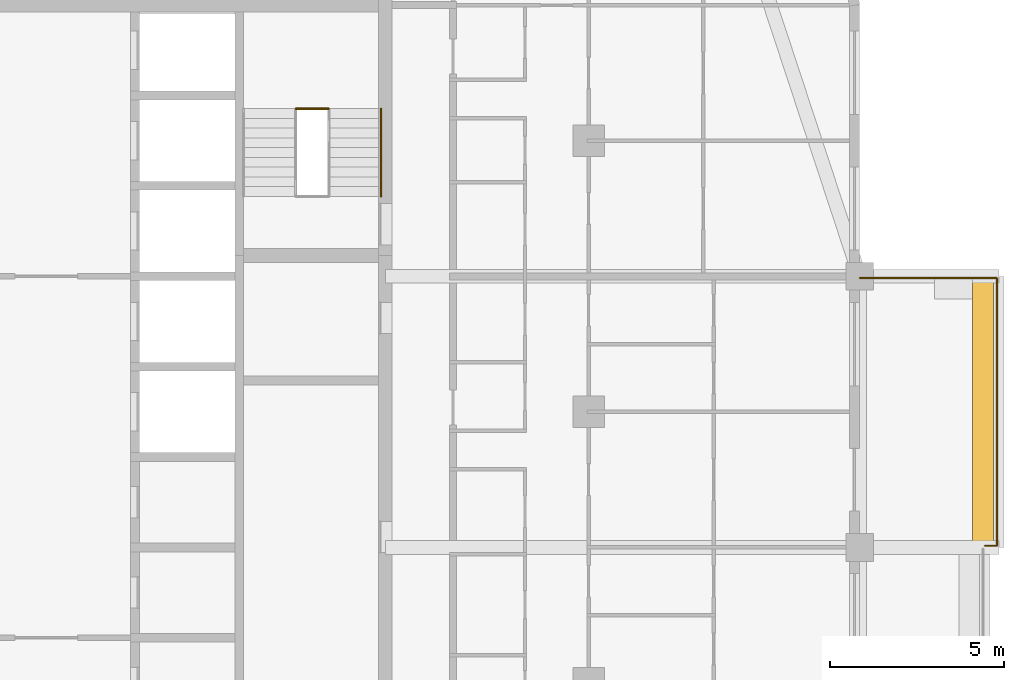
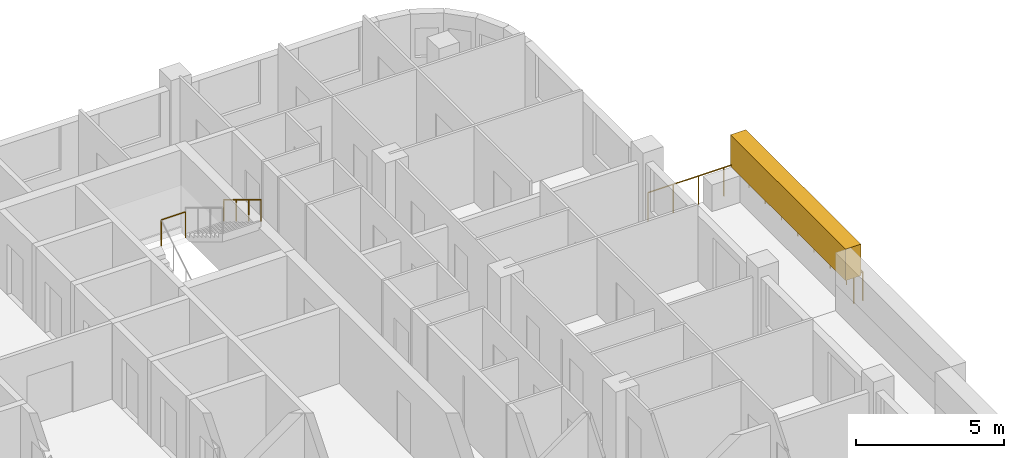
# One storey, part 16 of 16: 3 railings, 1 covering, 1 element without a shape of its own.
"""IFC4 building model written with IfcOpenShell, lengths in metres."""

import ifcopenshell
import ifcopenshell.guid

model = None  # the IFC model being written
_history = None  # IfcOwnerHistory: only IFC2X3 demands one
_inside = {}  # id of a spatial element -> (the spatial element, [elements in it])
_under = {}  # id of a project, library or spatial element -> (it, [spatial elements below it])
_declared = {}  # id of a project -> (the project, [libraries it declares])
_typed = {}  # id of a type object -> (the type object, [elements of that type])
_made_of = {}  # id of a material, layer set ... -> (it, [elements and type objects made of it])


def new_model(schema):
    """Start an empty IFC model of exactly this schema.

    Asked for "IFC4X3", IfcOpenShell would pick the latest addendum, in which some entities
    have other attributes; the version numbers below select the first issue.
    IFC2X3 requires an IfcOwnerHistory on every rooted entity: one is made here for all.
    """
    global model, _history
    if schema == "IFC4X3":
        model = ifcopenshell.file(schema_version=(4, 3, 0, 0))
    else:
        model = ifcopenshell.file(schema=schema)
    _inside.clear()
    _under.clear()
    _declared.clear()
    _typed.clear()
    _made_of.clear()
    _history = None
    if model.schema == "IFC2X3":
        org = make("IfcOrganization", Name="unknown")
        user = make(
            "IfcPersonAndOrganization",
            ThePerson=make("IfcPerson", FamilyName="unknown"),
            TheOrganization=org,
        )
        app = make(
            "IfcApplication",
            ApplicationDeveloper=org,
            Version="unknown",
            ApplicationFullName="unknown",
            ApplicationIdentifier="unknown",
        )
        _history = make(
            "IfcOwnerHistory",
            OwningUser=user,
            OwningApplication=app,
            ChangeAction="ADDED",
            CreationDate=0,
        )
    return model


def make(cls, **values):
    """One entity of the class cls with the attributes given. An attribute that is None is left unset."""
    return model.create_entity(
        cls, **{name: value for name, value in values.items() if value is not None}
    )


def rooted(cls, **values):
    """An entity with a GlobalId (a new one), such as an element, a storey or a relation."""
    return make(cls, GlobalId=ifcopenshell.guid.new(), OwnerHistory=_history, **values)


def si_unit(unit_type, name, prefix=None):
    """IfcSIUnit, for example si_unit("LENGTHUNIT", "METRE", prefix="MILLI")."""
    return make("IfcSIUnit", UnitType=unit_type, Prefix=prefix, Name=name)


def assignment(units):
    """IfcUnitAssignment: the units of a project."""
    return None if units is None else make("IfcUnitAssignment", Units=units)


def point(xyz):
    """IfcCartesianPoint."""
    return None if xyz is None else make("IfcCartesianPoint", Coordinates=xyz)


def direction(xyz):
    """IfcDirection."""
    return None if xyz is None else make("IfcDirection", DirectionRatios=xyz)


def frame(location, z_axis=None, x_axis=None):
    """IfcAxis2Placement3D, a coordinate frame: its origin and axes. An axis left out is left unset."""
    return make(
        "IfcAxis2Placement3D",
        Location=point(location),
        Axis=direction(z_axis),
        RefDirection=direction(x_axis),
    )


def frame_2d(location, x_axis=None):
    """IfcAxis2Placement2D, a coordinate frame in the plane: its origin and x axis."""
    return make(
        "IfcAxis2Placement2D", Location=point(location), RefDirection=direction(x_axis)
    )


def origin():
    """The frame at (0, 0, 0) with its axes left unset."""
    return frame((0.0, 0.0, 0.0))


def origin_2d():
    """The frame at (0, 0) in the plane with its x axis left unset."""
    return frame_2d((0.0, 0.0))


def place(relative_to, where):
    """IfcLocalPlacement: puts the frame where relative to a parent placement (None: the world)."""
    return make(
        "IfcLocalPlacement", PlacementRelTo=relative_to, RelativePlacement=where
    )


def context(
    kind, dimensions, precision=None, world=None, true_north=None, identifier=None
):
    """IfcGeometricRepresentationContext, for example the 3D "Model" context."""
    return make(
        "IfcGeometricRepresentationContext",
        ContextIdentifier=identifier,
        ContextType=kind,
        CoordinateSpaceDimension=dimensions,
        Precision=precision,
        WorldCoordinateSystem=world,
        TrueNorth=true_north,
    )


def subcontext(parent, identifier, kind, view, scale=None):
    """IfcGeometricRepresentationSubContext, for example "Body" below "Model"."""
    return make(
        "IfcGeometricRepresentationSubContext",
        ContextIdentifier=identifier,
        ContextType=kind,
        ParentContext=parent,
        TargetScale=scale,
        TargetView=view,
    )


def project(units=None, contexts=None):
    """IfcProject with its units and contexts."""
    return rooted(
        "IfcProject",
        Name="project",
        RepresentationContexts=contexts,
        UnitsInContext=assignment(units),
    )


def spatial(cls, under=None, at=None, **own):
    """A site, building, storey or space (cls), placed at a placement, below another one or the project."""
    s = rooted(cls, ObjectPlacement=at, **own)
    if under is not None:
        _under.setdefault(under.id(), (under, []))[1].append(s)
    return s


def profile(cls, at=None, kind="AREA", **sizes):
    """A parametric profile (cls). Its sizes go by their IFC names, for example OverallWidth=200.0."""
    return make(cls, ProfileType=kind, Position=at, **sizes)


def rectangle(**sizes):
    """IfcRectangleProfileDef."""
    return profile("IfcRectangleProfileDef", **sizes)


def circle(**sizes):
    """IfcCircleProfileDef."""
    return profile("IfcCircleProfileDef", **sizes)


def extrude(swept, where, along, depth):
    """IfcExtrudedAreaSolid: the profile swept, set in the frame where, extruded along a direction by depth."""
    return make(
        "IfcExtrudedAreaSolid",
        SweptArea=swept,
        Position=where,
        ExtrudedDirection=direction(along),
        Depth=depth,
    )


def shape(context_of_items, identifier, shape_type, items):
    """IfcShapeRepresentation: the items that make up one representation, for example the "Body"."""
    return make(
        "IfcShapeRepresentation",
        ContextOfItems=context_of_items,
        RepresentationIdentifier=identifier,
        RepresentationType=shape_type,
        Items=items,
    )


def material(Name=None, Category=None):
    """IfcMaterial."""
    return make("IfcMaterial", Name=Name, Category=Category)


def layer(
    of_material, thickness, ventilated=None, Name=None, Category=None, Priority=None
):
    """IfcMaterialLayer: one layer of a wall or slab, of a material (None: an air gap)."""
    return make(
        "IfcMaterialLayer",
        Material=of_material,
        LayerThickness=thickness,
        IsVentilated=ventilated,
        Name=Name,
        Category=Category,
        Priority=Priority,
    )


def layer_set(layers, Name=None):
    """IfcMaterialLayerSet."""
    return make("IfcMaterialLayerSet", MaterialLayers=layers, LayerSetName=Name)


def made_of(thing, what):
    """Note that an element or type object is made of a material, layer set ...; save() writes the relation."""
    if what is not None:
        _made_of.setdefault(what.id(), (what, []))[1].append(thing)
    return thing


def type_object(cls, material=None, **own):
    """A type object (cls), such as IfcWallType, which elements share."""
    return made_of(rooted(cls, **own), material)


def element(
    cls,
    number,
    at=None,
    inside=None,
    cuts=None,
    type_object=None,
    material=None,
    context=None,
    identifier="Body",
    shape_type=None,
    held_by="IfcProductDefinitionShape",
    body=None,
    shapes=None,
    **own,
):
    """One element of the class cls, such as IfcWall. Its Tag is "e" and its number.

    at: its placement. inside: the storey or other place that contains it. cuts: it is an
    opening in that element (IfcRelVoidsElement). A single representation is given by context,
    identifier, shape_type and body (its items); several are given by shapes. held_by: the class
    of the entity that holds the representations. save() writes the other relations.
    """
    e = rooted(cls, Tag="e%d" % number, ObjectPlacement=at, **own)
    if body is not None:
        shapes = [shape(context, identifier, shape_type, body)]
    if shapes is not None:
        e.Representation = make(held_by, Representations=shapes)
    if inside is not None:
        _inside.setdefault(inside.id(), (inside, []))[1].append(e)
    if cuts is not None:
        rooted(
            "IfcRelVoidsElement", RelatingBuildingElement=cuts, RelatedOpeningElement=e
        )
    if type_object is not None:
        _typed.setdefault(type_object.id(), (type_object, []))[1].append(e)
    return made_of(e, material)


def aggregate(whole, parts):
    """IfcRelAggregates: a whole, such as a stair, and the parts it consists of."""
    return rooted("IfcRelAggregates", RelatingObject=whole, RelatedObjects=parts)


def save(model, path):
    """Write the relations noted so far, then the file.

    IfcRelAggregates (storeys below a building ...), IfcRelContainedInSpatialStructure (elements
    in a storey), IfcRelDefinesByType, IfcRelAssociatesMaterial and IfcRelDeclares: one each for
    every whole, place, type object, material and project.
    """
    for whole, parts in _under.values():
        aggregate(whole, parts)
    for where, things in _inside.values():
        rooted(
            "IfcRelContainedInSpatialStructure",
            RelatedElements=things,
            RelatingStructure=where,
        )
    for kind, things in _typed.values():
        rooted("IfcRelDefinesByType", RelatedObjects=things, RelatingType=kind)
    for what, things in _made_of.values():
        rooted("IfcRelAssociatesMaterial", RelatedObjects=things, RelatingMaterial=what)
    for by, libraries in _declared.values():
        rooted("IfcRelDeclares", RelatingContext=by, RelatedDefinitions=libraries)
    model.write(path)


model = new_model("IFC4")

# Units and contexts
model_context = context("Model", 3, precision=1e-05, world=origin(), true_north=direction((0.0, 1.0)))
body_context = subcontext(model_context, "Body", "Model", "MODEL_VIEW")
ifc_project = project(units=[si_unit("LENGTHUNIT", "METRE"), si_unit("AREAUNIT", "SQUARE_METRE"), si_unit("VOLUMEUNIT", "CUBIC_METRE"), si_unit("PLANEANGLEUNIT", "RADIAN"), si_unit("MASSUNIT", "GRAM", prefix="KILO")], contexts=[model_context])

# Site, building, storey
site_placement = place(None, origin())
site = spatial("IfcSite", under=ifc_project, at=site_placement, CompositionType="ELEMENT")
building_placement = place(site_placement, origin())
building = spatial("IfcBuilding", under=site, at=building_placement, Name="Ludao Terraces", CompositionType="ELEMENT")
storey_placement = place(building_placement, frame((0.0, 0.0, 227.89990234375)))
storey = spatial("IfcBuildingStorey", under=building, at=storey_placement, Name="L62", CompositionType="ELEMENT", Elevation=227.89990234375)

# Railing
ifc_material_1 = material(Name="Stainless steel 304", Category="steel")
railing_type_1 = type_object("IfcRailingType", Name="ENV Balcony glass guard 1200", PredefinedType="GUARDRAIL", material=ifc_material_1)
railing_1_placement = place(storey_placement, frame((112.0, 68.949951171875, 0.0)))
element("IfcRailing", 1, at=railing_1_placement, inside=storey, type_object=railing_type_1, Name="Balcony guard L62 E3", PredefinedType="GUARDRAIL", context=body_context, shape_type="SweptSolid", body=[
    extrude(circle(Radius=0.02392578125, at=origin_2d()), frame((0.0, 0.0, 1.17578125), z_axis=(1.0, 0.0, 0.0), x_axis=(0.0, 1.0, 0.0)), (0.0, 0.0, 1.0), 0.35009765625),
    extrude(circle(Radius=0.02392578125, at=origin_2d()), frame((0.35009765625, 0.0, 1.17578125), z_axis=(0.0, 1.0, 0.0), x_axis=(-1.0, 0.0, 0.0)), (0.0, 0.0, 1.0), 7.699951171875),
    extrude(circle(Radius=0.02392578125, at=origin_2d()), frame((0.35009765625, 7.699951171875, 1.17578125), z_axis=(-1.0, 0.0, 0.0), x_axis=(0.0, -1.0, 0.0)), (0.0, 0.0, 1.0), 3.9501953125),
    extrude(circle(Radius=0.02099609375, at=origin_2d()), origin(), (0.0, 0.0, 1.0), 1.15185546875),
    extrude(circle(Radius=0.02099609375, at=origin_2d()), frame((0.35009765625, 0.0, 0.0)), (0.0, 0.0, 1.0), 1.15185546875),
    extrude(circle(Radius=0.02099609375, at=origin_2d()), frame((0.35009765625, 1.10009765625, 0.0)), (0.0, 0.0, 1.0), 1.15185546875),
    extrude(circle(Radius=0.02099609375, at=origin_2d()), frame((0.35009765625, 2.199951171875, 0.0)), (0.0, 0.0, 1.0), 1.15185546875),
    extrude(circle(Radius=0.02099609375, at=origin_2d()), frame((0.35009765625, 3.300048828125, 0.0)), (0.0, 0.0, 1.0), 1.15185546875),
    extrude(circle(Radius=0.02099609375, at=origin_2d()), frame((0.35009765625, 4.39990234375, 0.0)), (0.0, 0.0, 1.0), 1.15185546875),
    extrude(circle(Radius=0.02099609375, at=origin_2d()), frame((0.35009765625, 5.5, 0.0)), (0.0, 0.0, 1.0), 1.15185546875),
    extrude(circle(Radius=0.02099609375, at=origin_2d()), frame((0.35009765625, 6.599853515625, 0.0)), (0.0, 0.0, 1.0), 1.15185546875),
    extrude(circle(Radius=0.02099609375, at=origin_2d()), frame((0.35009765625, 7.699951171875, 0.0)), (0.0, 0.0, 1.0), 1.15185546875),
    extrude(circle(Radius=0.02099609375, at=origin_2d()), frame((-0.637451171875, 7.699951171875, 0.0)), (0.0, 0.0, 1.0), 1.15185546875),
    extrude(circle(Radius=0.02099609375, at=origin_2d()), frame((-1.625, 7.699951171875, 0.0)), (0.0, 0.0, 1.0), 1.15185546875),
    extrude(circle(Radius=0.02099609375, at=origin_2d()), frame((-2.612548828125, 7.699951171875, 0.0)), (0.0, 0.0, 1.0), 1.15185546875),
    extrude(circle(Radius=0.02099609375, at=origin_2d()), frame((-3.60009765625, 7.699951171875, 0.0)), (0.0, 0.0, 1.0), 1.15185546875),
])

# Covering
ifc_material_2 = material(Name="Planting")
ifc_layer = layer(ifc_material_2, 0.60009765625)
ifc_layer_set = layer_set([ifc_layer], Name="ENV Planting hedge 600x1300")
covering_type = type_object("IfcCoveringType", Name="ENV Planting hedge 600x1300", PredefinedType="USERDEFINED", material=ifc_layer_set)
covering_placement = place(storey_placement, frame((111.949951171875, 72.800048828125, 1.10009765625), z_axis=(0.0, 0.0, 1.0), x_axis=(1.0, 0.0, 0.0)))
element("IfcCovering", 2, at=covering_placement, inside=storey, type_object=covering_type, Name="Planting hedge L62-E3", ObjectType="PLANTING", PredefinedType="USERDEFINED", context=body_context, shape_type="SweptSolid", body=[
    extrude(rectangle(XDim=0.60009765625, YDim=7.800048828125, at=origin_2d()), origin(), (0.0, 0.0, 1.0), 1.300048828125),
])

# Stair, railings
ifc_material_3 = material(Name="Concrete C40", Category="concrete")
stair_type = type_object("IfcStairType", Name="INT Stair", PredefinedType="HALF_TURN_STAIR", material=ifc_material_3)
stair_placement = place(storey_placement, origin())
stair = element("IfcStair", 3, at=stair_placement, inside=storey, type_object=stair_type, Name="EXIT STAIR 2", PredefinedType="HALF_TURN_STAIR")
railing_type_2 = type_object("IfcRailingType", Name="INT Stair guard 1100", PredefinedType="GUARDRAIL", material=ifc_material_1)
railing_2_placement = place(storey_placement, frame((92.175048828125, 81.52001953125, 1.7001953125)))
railing_2 = element("IfcRailing", 4, at=railing_2_placement, type_object=railing_type_2, Name="ST-L62-S2-E1G", PredefinedType="GUARDRAIL", context=body_context, shape_type="SweptSolid", body=[
    extrude(circle(Radius=0.02392578125, at=origin_2d()), frame((0.0, 0.0, 1.076171875), z_axis=(1.0, 0.0, 0.0), x_axis=(0.0, 1.0, 0.0)), (0.0, 0.0, 1.0), 0.949951171875),
    extrude(circle(Radius=0.02099609375, at=origin_2d()), origin(), (0.0, 0.0, 1.0), 1.052001953125),
    extrude(circle(Radius=0.02099609375, at=origin_2d()), frame((0.949951171875, 0.0, 0.0)), (0.0, 0.0, 1.0), 1.052001953125),
])
railing_type_3 = type_object("IfcRailingType", Name="INT Stair handrail 900", PredefinedType="HANDRAIL", material=ifc_material_1)
railing_3_placement = place(storey_placement, frame((94.625, 81.52001953125, 1.8701171875)))
railing_3 = element("IfcRailing", 5, at=railing_3_placement, type_object=railing_type_3, Name="ST-L62-S2-R2H", PredefinedType="HANDRAIL", context=body_context, shape_type="SweptSolid", body=[
    extrude(circle(Radius=0.02392578125, at=origin_2d()), frame((0.0, 0.0, 0.8759765625), z_axis=(0.0, -0.85478489116, 0.518982456201), x_axis=(1.0, 0.0, 0.0)), (0.0, 0.0, 1.0), 2.9482421875),
    extrude(circle(Radius=0.02099609375, at=origin_2d()), origin(), (0.0, 0.0, 1.0), 0.851806640625),
    extrude(circle(Radius=0.02099609375, at=origin_2d()), frame((0.0, -0.840087890625, 0.510009765625)), (0.0, 0.0, 1.0), 0.851806640625),
    extrude(circle(Radius=0.02099609375, at=origin_2d()), frame((0.0, -1.679931640625, 1.02001953125)), (0.0, 0.0, 1.0), 0.851806640625),
    extrude(circle(Radius=0.02099609375, at=origin_2d()), frame((0.0, -2.52001953125, 1.530029296875)), (0.0, 0.0, 1.0), 0.851806640625),
])
aggregate(stair, [railing_3, railing_2])

save(model, "model.ifc")
